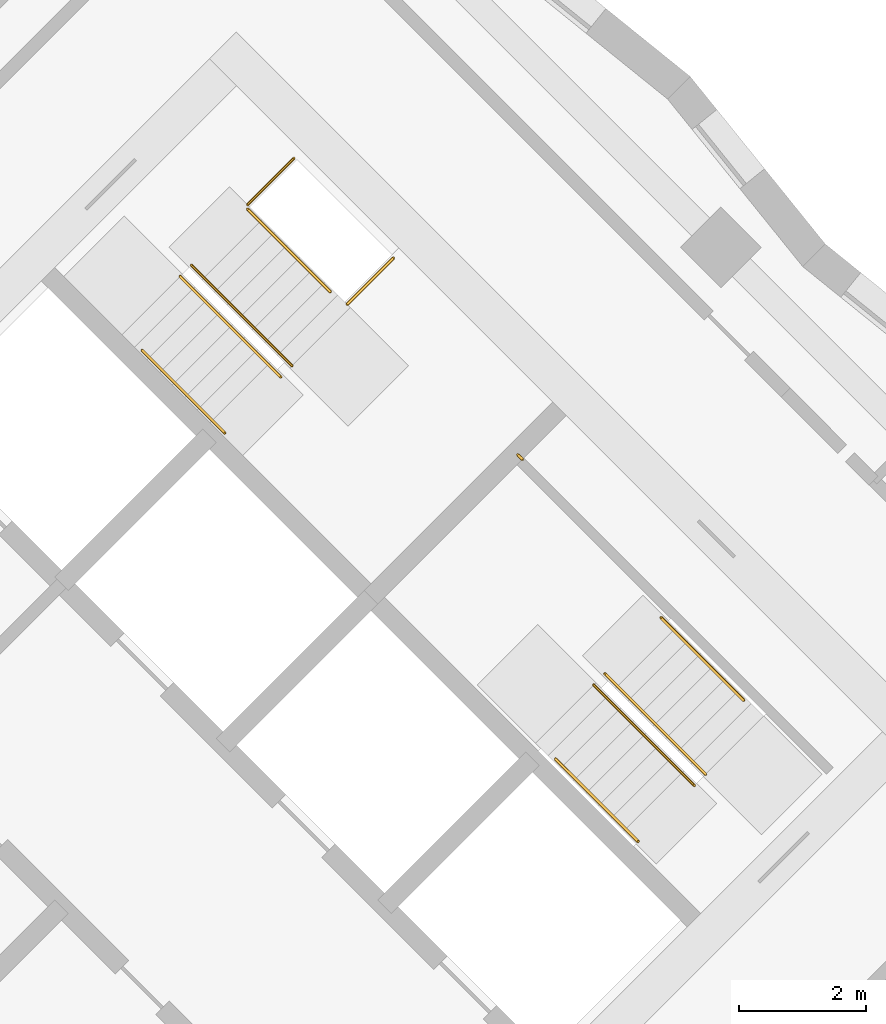
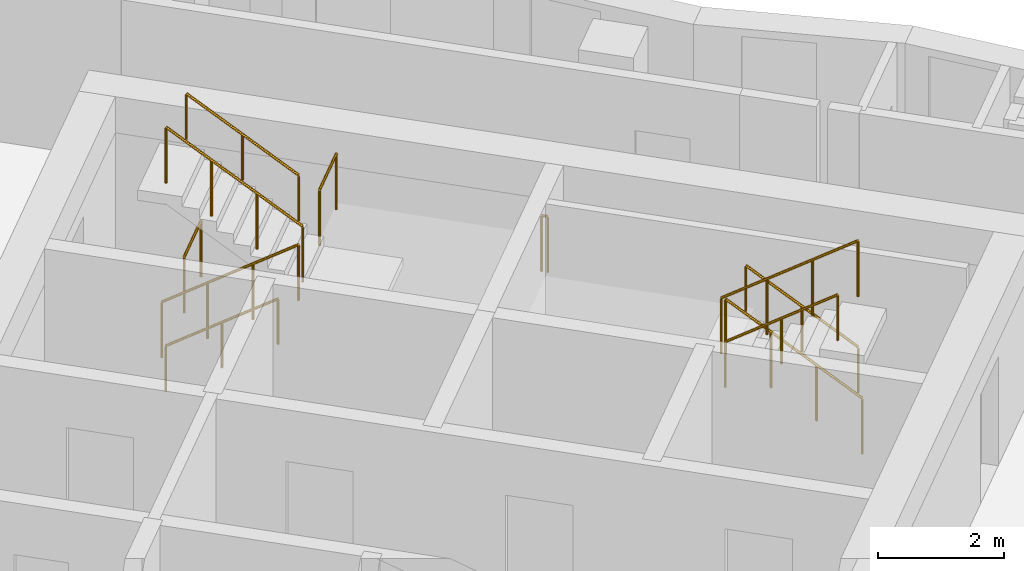
# One storey, part 12 of 12: 11 railings.
"""IFC4 building model written with IfcOpenShell, lengths in metres."""

from ifc_helpers import new_model, si_unit, direction, frame, origin, origin_2d, place, context, subcontext, project, spatial, circle, extrude, material, type_object, element, save


model = new_model("IFC4")

# Units and contexts
model_context = context("Model", 3, precision=1e-05, world=origin(), true_north=direction((0.0, 1.0)))
body_context = subcontext(model_context, "Body", "Model", "MODEL_VIEW")
ifc_project = project(units=[si_unit("LENGTHUNIT", "METRE"), si_unit("AREAUNIT", "SQUARE_METRE"), si_unit("VOLUMEUNIT", "CUBIC_METRE"), si_unit("PLANEANGLEUNIT", "RADIAN"), si_unit("MASSUNIT", "GRAM", prefix="KILO")], contexts=[model_context])

# Site, building, storey
site_placement = place(None, origin())
site = spatial("IfcSite", under=ifc_project, at=site_placement, CompositionType="ELEMENT")
building_placement = place(site_placement, origin())
building = spatial("IfcBuilding", under=site, at=building_placement, Name="Windrow Commons", CompositionType="ELEMENT")
storey_placement = place(building_placement, frame((0.0, 0.0, 142.2)))
storey = spatial("IfcBuildingStorey", under=building, at=storey_placement, Name="L38", CompositionType="ELEMENT", Elevation=142.2)

# Railings
ifc_material_1 = material(Name="Steel S355", Category="steel")
railing_type_1 = type_object("IfcRailingType", Name="Core stair guard 1100", PredefinedType="GUARDRAIL", material=ifc_material_1)
railing_1_placement = place(storey_placement, frame((85.9529, 56.2669, 0.1889)))
element("IfcRailing", 1, at=railing_1_placement, inside=storey, type_object=railing_type_1, Name="L38 ST-B1 stair guard 1", PredefinedType="GUARDRAIL", context=body_context, shape_type="SweptSolid", body=[
    extrude(circle(Radius=0.024, at=origin_2d()), frame((0.0, 0.0, 1.076), z_axis=(0.5861914914, -0.5861914914, 0.5592486664), x_axis=(0.7071067812, 0.7071067812, 0.0)), (0.0, 0.0, 1.0), 2.702),
    extrude(circle(Radius=0.021, at=origin_2d()), origin(), (0.0, 0.0, 1.0), 1.052),
    extrude(circle(Radius=0.021, at=origin_2d()), frame((0.528, -0.528, 0.5037)), (0.0, 0.0, 1.0), 1.052),
    extrude(circle(Radius=0.021, at=origin_2d()), frame((1.0559, -1.0559, 1.0074)), (0.0, 0.0, 1.0), 1.052),
    extrude(circle(Radius=0.021, at=origin_2d()), frame((1.5839, -1.5839, 1.5111)), (0.0, 0.0, 1.0), 1.052),
])
railing_2_placement = place(storey_placement, frame((87.7136, 54.8597, 1.8889)))
element("IfcRailing", 2, at=railing_2_placement, inside=storey, type_object=railing_type_1, Name="L38 ST-B1 stair guard 2", PredefinedType="GUARDRAIL", context=body_context, shape_type="SweptSolid", body=[
    extrude(circle(Radius=0.024, at=origin_2d()), frame((0.0, 0.0, 1.076), z_axis=(-0.5862030657, 0.5862030657, 0.5592244018), x_axis=(-0.7071067812, -0.7071067812, 0.0)), (0.0, 0.0, 1.0), 2.7021),
    extrude(circle(Radius=0.021, at=origin_2d()), origin(), (0.0, 0.0, 1.0), 1.052),
    extrude(circle(Radius=0.021, at=origin_2d()), frame((-0.528, 0.528, 0.5037)), (0.0, 0.0, 1.0), 1.052),
    extrude(circle(Radius=0.021, at=origin_2d()), frame((-1.056, 1.056, 1.0074)), (0.0, 0.0, 1.0), 1.052),
    extrude(circle(Radius=0.021, at=origin_2d()), frame((-1.584, 1.584, 1.5111)), (0.0, 0.0, 1.0), 1.052),
])
railing_3_placement = place(storey_placement, frame((87.0135, 57.3982, 0.0)))
element("IfcRailing", 3, at=railing_3_placement, inside=storey, type_object=railing_type_1, Name="L38 ST-B1 stair guard 3", PredefinedType="GUARDRAIL", context=body_context, shape_type="SweptSolid", body=[
    extrude(circle(Radius=0.024, at=origin_2d()), frame((0.0, 0.0, 1.076), z_axis=(0.7070582378, 0.7071553212, 0.0), x_axis=(-0.7071553212, 0.7070582378, 0.0)), (0.0, 0.0, 1.0), 1.03),
    extrude(circle(Radius=0.021, at=origin_2d()), origin(), (0.0, 0.0, 1.0), 1.052),
    extrude(circle(Radius=0.021, at=origin_2d()), frame((0.7283, 0.7284, 0.0)), (0.0, 0.0, 1.0), 1.052),
])
railing_4_placement = place(storey_placement, frame((88.5833, 55.8285, 1.7)))
element("IfcRailing", 4, at=railing_4_placement, inside=storey, type_object=railing_type_1, Name="L38 ST-B1 stair guard 4", PredefinedType="GUARDRAIL", context=body_context, shape_type="SweptSolid", body=[
    extrude(circle(Radius=0.024, at=origin_2d()), frame((0.0, 0.0, 1.076), z_axis=(0.7071067812, 0.7071067812, 0.0), x_axis=(-0.7071067812, 0.7071067812, 0.0)), (0.0, 0.0, 1.0), 1.03),
    extrude(circle(Radius=0.021, at=origin_2d()), origin(), (0.0, 0.0, 1.0), 1.052),
    extrude(circle(Radius=0.021, at=origin_2d()), frame((0.7283, 0.7283, 0.0)), (0.0, 0.0, 1.0), 1.052),
])
railing_5_placement = place(storey_placement, frame((94.2296, 48.4215, 0.1889)))
element("IfcRailing", 5, at=railing_5_placement, inside=storey, type_object=railing_type_1, Name="L38 ST-B2 stair guard 1", PredefinedType="GUARDRAIL", context=body_context, shape_type="SweptSolid", body=[
    extrude(circle(Radius=0.024, at=origin_2d()), frame((0.0, 0.0, 1.076), z_axis=(-0.5862157828, 0.5861787742, 0.5592365337), x_axis=(-0.7070844598, -0.7071291018, 0.0)), (0.0, 0.0, 1.0), 2.7021),
    extrude(circle(Radius=0.021, at=origin_2d()), origin(), (0.0, 0.0, 1.0), 1.052),
    extrude(circle(Radius=0.021, at=origin_2d()), frame((-0.528, 0.528, 0.5037)), (0.0, 0.0, 1.0), 1.052),
    extrude(circle(Radius=0.021, at=origin_2d()), frame((-1.056, 1.0559, 1.0074)), (0.0, 0.0, 1.0), 1.052),
    extrude(circle(Radius=0.021, at=origin_2d()), frame((-1.584, 1.5839, 1.5111)), (0.0, 0.0, 1.0), 1.052),
])
railing_6_placement = place(storey_placement, frame((92.4689, 49.8287, 1.8889)))
element("IfcRailing", 6, at=railing_6_placement, inside=storey, type_object=railing_type_1, Name="L38 ST-B2 stair guard 2", PredefinedType="GUARDRAIL", context=body_context, shape_type="SweptSolid", body=[
    extrude(circle(Radius=0.024, at=origin_2d()), frame((0.0, 0.0, 1.076), z_axis=(0.5861787742, -0.5862157828, 0.5592365337), x_axis=(0.7071291018, 0.7070844598, 0.0)), (0.0, 0.0, 1.0), 2.7021),
    extrude(circle(Radius=0.021, at=origin_2d()), origin(), (0.0, 0.0, 1.0), 1.052),
    extrude(circle(Radius=0.021, at=origin_2d()), frame((0.528, -0.528, 0.5037)), (0.0, 0.0, 1.0), 1.052),
    extrude(circle(Radius=0.021, at=origin_2d()), frame((1.0559, -1.056, 1.0074)), (0.0, 0.0, 1.0), 1.052),
    extrude(circle(Radius=0.021, at=origin_2d()), frame((1.5839, -1.584, 1.5111)), (0.0, 0.0, 1.0), 1.052),
])
railing_7_placement = place(storey_placement, frame((91.3446, 53.3854, 1.7)))
element("IfcRailing", 7, at=railing_7_placement, inside=storey, type_object=railing_type_1, Name="L38 ST-B2 stair guard 3", PredefinedType="GUARDRAIL", context=body_context, shape_type="SweptSolid", body=[
    extrude(circle(Radius=0.024, at=origin_2d()), frame((0.0, 0.0, 1.076), z_axis=(-0.7076063266, 0.7066068826, 0.0), x_axis=(-0.7066068826, -0.7076063266, 0.0)), (0.0, 0.0, 1.0), 0.1001),
    extrude(circle(Radius=0.021, at=origin_2d()), origin(), (0.0, 0.0, 1.0), 1.052),
    extrude(circle(Radius=0.021, at=origin_2d()), frame((-0.0708, 0.0707, 0.0)), (0.0, 0.0, 1.0), 1.052),
])
ifc_material_2 = material(Name="Steel S355", Category="steel")
railing_type_2 = type_object("IfcRailingType", Name="Core stair handrail 900", PredefinedType="HANDRAIL", material=ifc_material_2)
railing_8_placement = place(storey_placement, frame((85.3518, 55.1001, 0.4587)))
element("IfcRailing", 8, at=railing_8_placement, inside=storey, type_object=railing_type_2, Name="L38 ST-B1 stair handrail 1", PredefinedType="HANDRAIL", context=body_context, shape_type="SweptSolid", body=[
    extrude(circle(Radius=0.024, at=origin_2d()), frame((0.0, 0.0, 0.876), z_axis=(0.586206706, -0.5861616513, 0.5592639952), x_axis=(0.7070796062, 0.7071339551, 0.0)), (0.0, 0.0, 1.0), 2.2195),
    extrude(circle(Radius=0.021, at=origin_2d()), origin(), (0.0, 0.0, 1.0), 0.852),
    extrude(circle(Radius=0.021, at=origin_2d()), frame((0.6506, -0.6505, 0.6206)), (0.0, 0.0, 1.0), 0.852),
    extrude(circle(Radius=0.021, at=origin_2d()), frame((1.3011, -1.301, 1.2413)), (0.0, 0.0, 1.0), 0.852),
])
for number, where, name in (
    (9, (88.3146, 56.0265, 2.1587), "L38 ST-B1 stair handrail 2"),
    (10, (94.8306, 49.5883, 0.4587), "L38 ST-B2 stair handrail 1"),
):
    element("IfcRailing", number, at=place(storey_placement, frame(where)), inside=storey, type_object=railing_type_2, Name=name, PredefinedType="HANDRAIL", context=body_context, shape_type="SweptSolid", body=[
        extrude(circle(Radius=0.024, at=origin_2d()), frame((0.0, 0.0, 0.876), z_axis=(-0.586206706, 0.5861616513, 0.5592639952), x_axis=(-0.7070796062, -0.7071339551, 0.0)), (0.0, 0.0, 1.0), 2.2195),
        extrude(circle(Radius=0.021, at=origin_2d()), origin(), (0.0, 0.0, 1.0), 0.852),
        extrude(circle(Radius=0.021, at=origin_2d()), frame((-0.6506, 0.6505, 0.6206)), (0.0, 0.0, 1.0), 0.852),
        extrude(circle(Radius=0.021, at=origin_2d()), frame((-1.3011, 1.301, 1.2413)), (0.0, 0.0, 1.0), 0.852),
    ])
railing_9_placement = place(storey_placement, frame((91.8678, 48.6619, 2.1587)))
element("IfcRailing", 11, at=railing_9_placement, inside=storey, type_object=railing_type_2, Name="L38 ST-B2 stair handrail 2", PredefinedType="HANDRAIL", context=body_context, shape_type="SweptSolid", body=[
    extrude(circle(Radius=0.024, at=origin_2d()), frame((0.0, 0.0, 0.876), z_axis=(0.586206706, -0.5861616513, 0.5592639952), x_axis=(0.7070796062, 0.7071339551, 0.0)), (0.0, 0.0, 1.0), 2.2195),
    extrude(circle(Radius=0.021, at=origin_2d()), origin(), (0.0, 0.0, 1.0), 0.852),
    extrude(circle(Radius=0.021, at=origin_2d()), frame((0.6505, -0.6505, 0.6206)), (0.0, 0.0, 1.0), 0.852),
    extrude(circle(Radius=0.021, at=origin_2d()), frame((1.3011, -1.301, 1.2413)), (0.0, 0.0, 1.0), 0.852),
])

save(model, "model.ifc")
